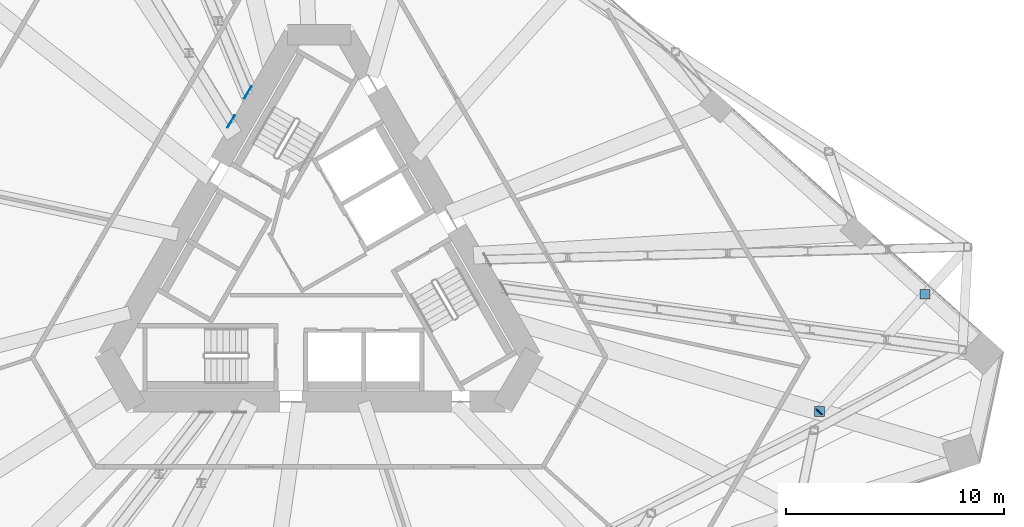
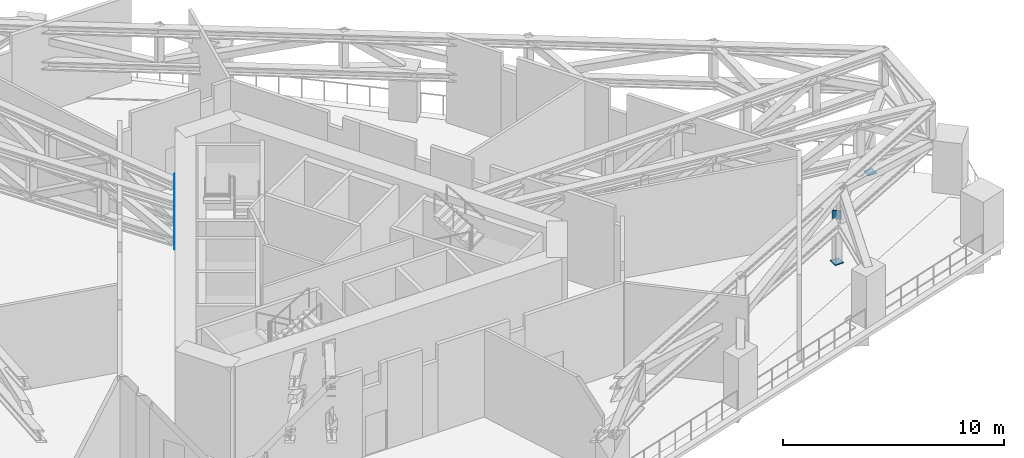
# One storey, part 18 of 24: 7 discrete accessories.
"""IFC4 building model written with IfcOpenShell, lengths in metres."""

import ifcopenshell
import ifcopenshell.guid

model = None  # the IFC model being written
_history = None  # IfcOwnerHistory: only IFC2X3 demands one
_inside = {}  # id of a spatial element -> (the spatial element, [elements in it])
_under = {}  # id of a project, library or spatial element -> (it, [spatial elements below it])
_declared = {}  # id of a project -> (the project, [libraries it declares])
_typed = {}  # id of a type object -> (the type object, [elements of that type])
_made_of = {}  # id of a material, layer set ... -> (it, [elements and type objects made of it])


def new_model(schema):
    """Start an empty IFC model of exactly this schema.

    Asked for "IFC4X3", IfcOpenShell would pick the latest addendum, in which some entities
    have other attributes; the version numbers below select the first issue.
    IFC2X3 requires an IfcOwnerHistory on every rooted entity: one is made here for all.
    """
    global model, _history
    if schema == "IFC4X3":
        model = ifcopenshell.file(schema_version=(4, 3, 0, 0))
    else:
        model = ifcopenshell.file(schema=schema)
    _inside.clear()
    _under.clear()
    _declared.clear()
    _typed.clear()
    _made_of.clear()
    _history = None
    if model.schema == "IFC2X3":
        org = make("IfcOrganization", Name="unknown")
        user = make(
            "IfcPersonAndOrganization",
            ThePerson=make("IfcPerson", FamilyName="unknown"),
            TheOrganization=org,
        )
        app = make(
            "IfcApplication",
            ApplicationDeveloper=org,
            Version="unknown",
            ApplicationFullName="unknown",
            ApplicationIdentifier="unknown",
        )
        _history = make(
            "IfcOwnerHistory",
            OwningUser=user,
            OwningApplication=app,
            ChangeAction="ADDED",
            CreationDate=0,
        )
    return model


def make(cls, **values):
    """One entity of the class cls with the attributes given. An attribute that is None is left unset."""
    return model.create_entity(
        cls, **{name: value for name, value in values.items() if value is not None}
    )


def rooted(cls, **values):
    """An entity with a GlobalId (a new one), such as an element, a storey or a relation."""
    return make(cls, GlobalId=ifcopenshell.guid.new(), OwnerHistory=_history, **values)


def si_unit(unit_type, name, prefix=None):
    """IfcSIUnit, for example si_unit("LENGTHUNIT", "METRE", prefix="MILLI")."""
    return make("IfcSIUnit", UnitType=unit_type, Prefix=prefix, Name=name)


def assignment(units):
    """IfcUnitAssignment: the units of a project."""
    return None if units is None else make("IfcUnitAssignment", Units=units)


def point(xyz):
    """IfcCartesianPoint."""
    return None if xyz is None else make("IfcCartesianPoint", Coordinates=xyz)


def direction(xyz):
    """IfcDirection."""
    return None if xyz is None else make("IfcDirection", DirectionRatios=xyz)


def frame(location, z_axis=None, x_axis=None):
    """IfcAxis2Placement3D, a coordinate frame: its origin and axes. An axis left out is left unset."""
    return make(
        "IfcAxis2Placement3D",
        Location=point(location),
        Axis=direction(z_axis),
        RefDirection=direction(x_axis),
    )


def frame_2d(location, x_axis=None):
    """IfcAxis2Placement2D, a coordinate frame in the plane: its origin and x axis."""
    return make(
        "IfcAxis2Placement2D", Location=point(location), RefDirection=direction(x_axis)
    )


def origin():
    """The frame at (0, 0, 0) with its axes left unset."""
    return frame((0.0, 0.0, 0.0))


def origin_2d():
    """The frame at (0, 0) in the plane with its x axis left unset."""
    return frame_2d((0.0, 0.0))


def place(relative_to, where):
    """IfcLocalPlacement: puts the frame where relative to a parent placement (None: the world)."""
    return make(
        "IfcLocalPlacement", PlacementRelTo=relative_to, RelativePlacement=where
    )


def context(
    kind, dimensions, precision=None, world=None, true_north=None, identifier=None
):
    """IfcGeometricRepresentationContext, for example the 3D "Model" context."""
    return make(
        "IfcGeometricRepresentationContext",
        ContextIdentifier=identifier,
        ContextType=kind,
        CoordinateSpaceDimension=dimensions,
        Precision=precision,
        WorldCoordinateSystem=world,
        TrueNorth=true_north,
    )


def subcontext(parent, identifier, kind, view, scale=None):
    """IfcGeometricRepresentationSubContext, for example "Body" below "Model"."""
    return make(
        "IfcGeometricRepresentationSubContext",
        ContextIdentifier=identifier,
        ContextType=kind,
        ParentContext=parent,
        TargetScale=scale,
        TargetView=view,
    )


def project(units=None, contexts=None):
    """IfcProject with its units and contexts."""
    return rooted(
        "IfcProject",
        Name="project",
        RepresentationContexts=contexts,
        UnitsInContext=assignment(units),
    )


def spatial(cls, under=None, at=None, **own):
    """A site, building, storey or space (cls), placed at a placement, below another one or the project."""
    s = rooted(cls, ObjectPlacement=at, **own)
    if under is not None:
        _under.setdefault(under.id(), (under, []))[1].append(s)
    return s


def profile(cls, at=None, kind="AREA", **sizes):
    """A parametric profile (cls). Its sizes go by their IFC names, for example OverallWidth=200.0."""
    return make(cls, ProfileType=kind, Position=at, **sizes)


def rectangle(**sizes):
    """IfcRectangleProfileDef."""
    return profile("IfcRectangleProfileDef", **sizes)


def extrude(swept, where, along, depth):
    """IfcExtrudedAreaSolid: the profile swept, set in the frame where, extruded along a direction by depth."""
    return make(
        "IfcExtrudedAreaSolid",
        SweptArea=swept,
        Position=where,
        ExtrudedDirection=direction(along),
        Depth=depth,
    )


def shape(context_of_items, identifier, shape_type, items):
    """IfcShapeRepresentation: the items that make up one representation, for example the "Body"."""
    return make(
        "IfcShapeRepresentation",
        ContextOfItems=context_of_items,
        RepresentationIdentifier=identifier,
        RepresentationType=shape_type,
        Items=items,
    )


def material(Name=None, Category=None):
    """IfcMaterial."""
    return make("IfcMaterial", Name=Name, Category=Category)


def layer(
    of_material, thickness, ventilated=None, Name=None, Category=None, Priority=None
):
    """IfcMaterialLayer: one layer of a wall or slab, of a material (None: an air gap)."""
    return make(
        "IfcMaterialLayer",
        Material=of_material,
        LayerThickness=thickness,
        IsVentilated=ventilated,
        Name=Name,
        Category=Category,
        Priority=Priority,
    )


def layer_set(layers, Name=None):
    """IfcMaterialLayerSet."""
    return make("IfcMaterialLayerSet", MaterialLayers=layers, LayerSetName=Name)


def made_of(thing, what):
    """Note that an element or type object is made of a material, layer set ...; save() writes the relation."""
    if what is not None:
        _made_of.setdefault(what.id(), (what, []))[1].append(thing)
    return thing


def type_object(cls, material=None, **own):
    """A type object (cls), such as IfcWallType, which elements share."""
    return made_of(rooted(cls, **own), material)


def element(
    cls,
    number,
    at=None,
    inside=None,
    cuts=None,
    type_object=None,
    material=None,
    context=None,
    identifier="Body",
    shape_type=None,
    held_by="IfcProductDefinitionShape",
    body=None,
    shapes=None,
    **own,
):
    """One element of the class cls, such as IfcWall. Its Tag is "e" and its number.

    at: its placement. inside: the storey or other place that contains it. cuts: it is an
    opening in that element (IfcRelVoidsElement). A single representation is given by context,
    identifier, shape_type and body (its items); several are given by shapes. held_by: the class
    of the entity that holds the representations. save() writes the other relations.
    """
    e = rooted(cls, Tag="e%d" % number, ObjectPlacement=at, **own)
    if body is not None:
        shapes = [shape(context, identifier, shape_type, body)]
    if shapes is not None:
        e.Representation = make(held_by, Representations=shapes)
    if inside is not None:
        _inside.setdefault(inside.id(), (inside, []))[1].append(e)
    if cuts is not None:
        rooted(
            "IfcRelVoidsElement", RelatingBuildingElement=cuts, RelatedOpeningElement=e
        )
    if type_object is not None:
        _typed.setdefault(type_object.id(), (type_object, []))[1].append(e)
    return made_of(e, material)


def aggregate(whole, parts):
    """IfcRelAggregates: a whole, such as a stair, and the parts it consists of."""
    return rooted("IfcRelAggregates", RelatingObject=whole, RelatedObjects=parts)


def save(model, path):
    """Write the relations noted so far, then the file.

    IfcRelAggregates (storeys below a building ...), IfcRelContainedInSpatialStructure (elements
    in a storey), IfcRelDefinesByType, IfcRelAssociatesMaterial and IfcRelDeclares: one each for
    every whole, place, type object, material and project.
    """
    for whole, parts in _under.values():
        aggregate(whole, parts)
    for where, things in _inside.values():
        rooted(
            "IfcRelContainedInSpatialStructure",
            RelatedElements=things,
            RelatingStructure=where,
        )
    for kind, things in _typed.values():
        rooted("IfcRelDefinesByType", RelatedObjects=things, RelatingType=kind)
    for what, things in _made_of.values():
        rooted("IfcRelAssociatesMaterial", RelatedObjects=things, RelatingMaterial=what)
    for by, libraries in _declared.values():
        rooted("IfcRelDeclares", RelatingContext=by, RelatedDefinitions=libraries)
    model.write(path)


model = new_model("IFC4")

# Units and contexts
model_context = context("Model", 3, precision=1e-05, world=origin(), true_north=direction((0.0, 1.0)))
body_context = subcontext(model_context, "Body", "Model", "MODEL_VIEW")
ifc_project = project(units=[si_unit("LENGTHUNIT", "METRE"), si_unit("AREAUNIT", "SQUARE_METRE"), si_unit("VOLUMEUNIT", "CUBIC_METRE"), si_unit("PLANEANGLEUNIT", "RADIAN"), si_unit("MASSUNIT", "GRAM", prefix="KILO")], contexts=[model_context])

# Site, building, storey
site_placement = place(None, origin())
site = spatial("IfcSite", under=ifc_project, at=site_placement, CompositionType="ELEMENT")
building_placement = place(site_placement, origin())
building = spatial("IfcBuilding", under=site, at=building_placement, Name="Tramontana Tower", CompositionType="ELEMENT")
storey_placement = place(building_placement, frame((0.0, 0.0, 120.39990234375)))
storey = spatial("IfcBuildingStorey", under=building, at=storey_placement, Name="L27", CompositionType="ELEMENT", Elevation=120.39990234375)

# Discrete accessories
ifc_material_1 = material(Name="Steel ASTM A572 Grade 50", Category="steel")
ifc_layer_1 = layer(ifc_material_1, 0.0400390625)
ifc_layer_set_1 = layer_set([ifc_layer_1], Name="Base plate 450X450X40")
discrete_accessory_type_1 = type_object("IfcDiscreteAccessoryType", Name="Base plate 450X450X40", PredefinedType="ANCHORPLATE", material=ifc_layer_set_1)
for number, where, z_axis, x_axis, name in (
    (1, (27.741455078125, -1.362548828125, 0.0), (0.0, 0.0, 1.0), (1.0, 0.0, 0.0), "Transfer truss post base plate C3K5.1"),
    (2, (22.904541015625, -6.734375, 0.0), (0.0, 0.0, 1.0), (1.0, 0.0, 0.0), "Transfer truss post base plate C3K5.2"),
):
    element("IfcDiscreteAccessory", number, at=place(storey_placement, frame(where, z_axis=z_axis, x_axis=x_axis)), inside=storey, type_object=discrete_accessory_type_1, Name=name, PredefinedType="ANCHORPLATE", context=body_context, shape_type="SweptSolid", body=[
        extrude(rectangle(XDim=0.449951171875, YDim=0.449951171875, at=origin_2d()), origin(), (0.0, 0.0, 1.0), 0.0400390625),
    ])
ifc_material_2 = material(Name="Steel ASTM A572 Grade 50", Category="steel")
ifc_layer_2 = layer(ifc_material_2, 0.0400390625)
ifc_layer_set_2 = layer_set([ifc_layer_2], Name="Cast-in plate 650X700X40")
discrete_accessory_type_2 = type_object("IfcDiscreteAccessoryType", Name="Cast-in plate 650X700X40", PredefinedType="ANCHORPLATE", material=ifc_layer_set_2)
for number, where, z_axis, x_axis, name in (
    (3, (-3.267822265625, 7.8798828125, 2.28173828125), (0.0, 0.0, 1.0), (-0.5, -0.866025403784, 0.0), "Cast-in plate Outrigger truss 5 bottom chord"),
    (4, (-3.267822265625, 7.8798828125, 4.2685546875), (0.0, 0.0, 1.0), (-0.5, -0.866025403784, 0.0), "Cast-in plate Outrigger truss 5 top chord"),
    (5, (-4.034912109375, 6.551513671875, 2.28173828125), (0.0, 0.0, 1.0), (-0.5, -0.866025403784, 0.0), "Cast-in plate Outrigger truss 6 bottom chord"),
    (6, (-4.034912109375, 6.551513671875, 4.2685546875), (0.0, 0.0, 1.0), (-0.5, -0.866025403784, 0.0), "Cast-in plate Outrigger truss 6 top chord"),
):
    element("IfcDiscreteAccessory", number, at=place(storey_placement, frame(where, z_axis=z_axis, x_axis=x_axis)), inside=storey, type_object=discrete_accessory_type_2, Name=name, PredefinedType="ANCHORPLATE", context=body_context, shape_type="SweptSolid", body=[
        extrude(rectangle(XDim=0.64990234375, YDim=0.0400390625, at=origin_2d()), origin(), (0.0, 0.0, 1.0), 0.699951171875),
    ])
ifc_material_3 = material(Name="Steel ASTM A572 Grade 50", Category="steel")
ifc_layer_3 = layer(ifc_material_3, 0.0400390625)
ifc_layer_set_3 = layer_set([ifc_layer_3], Name="End plate 422X464X40")
discrete_accessory_type_3 = type_object("IfcDiscreteAccessoryType", Name="End plate 422X464X40", PredefinedType="ANCHORPLATE", material=ifc_layer_set_3)
discrete_accessory_placement = place(storey_placement, frame((22.89111328125, -6.749267578125, 2.39990234375), z_axis=(0.0, 0.0, 1.0), x_axis=(-0.743144825477, 0.669130606359, 0.0)))
element("IfcDiscreteAccessory", 7, at=discrete_accessory_placement, inside=storey, type_object=discrete_accessory_type_3, Name="Transfer truss girder end plate C3K5.2", PredefinedType="ANCHORPLATE", context=body_context, shape_type="SweptSolid", body=[
    extrude(rectangle(XDim=0.42236328125, YDim=0.0400390625, at=origin_2d()), origin(), (0.0, 0.0, 1.0), 0.463623046875),
])

save(model, "model.ifc")
